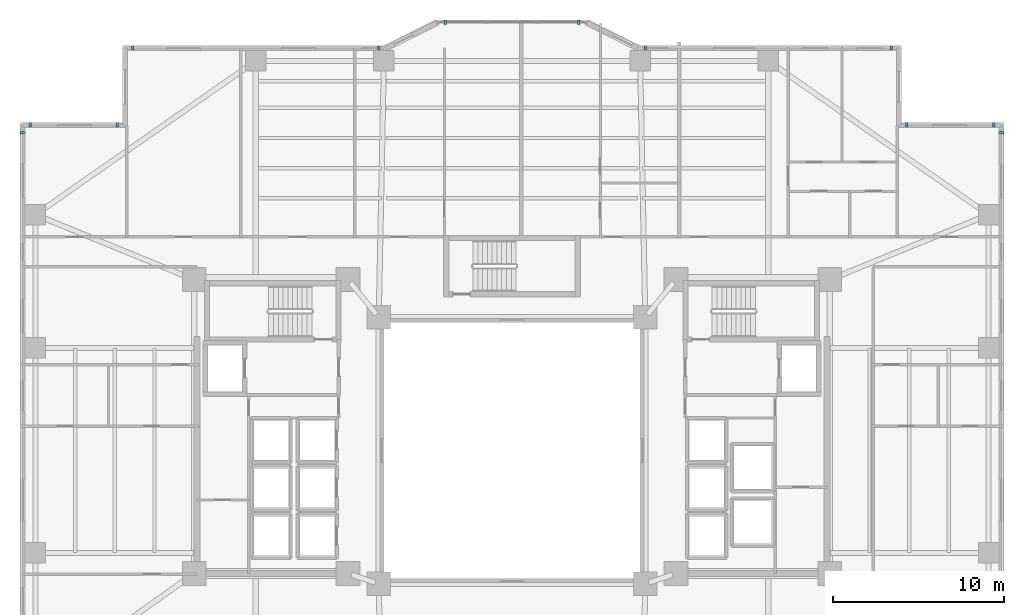
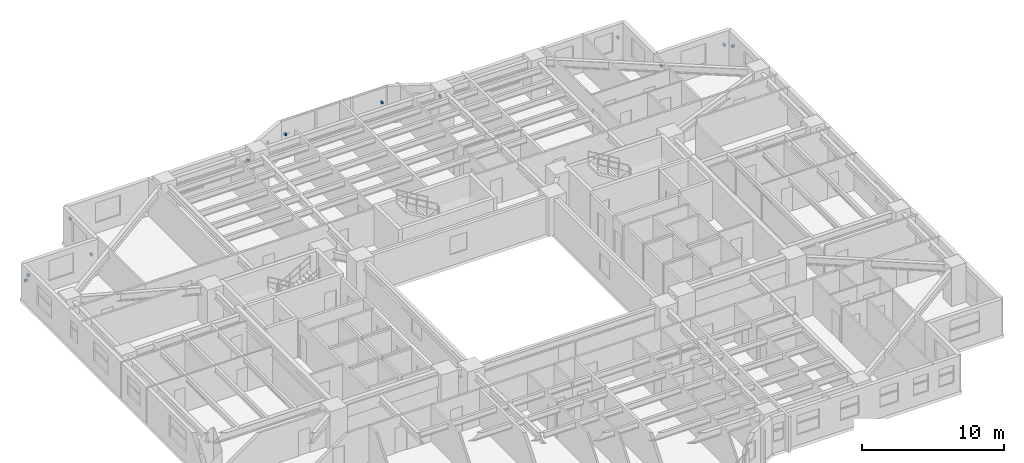
# One storey, part 18 of 21: 12 discrete accessories.
"""IFC4 building model written with IfcOpenShell, lengths in metres."""

from ifc_helpers import new_model, si_unit, direction, frame, origin, origin_2d, place, context, subcontext, project, spatial, rectangle, extrude, material, type_object, element, save


model = new_model("IFC4")

# Units and contexts
model_context = context("Model", 3, precision=1e-05, world=origin(), true_north=direction((0.0, 1.0)))
body_context = subcontext(model_context, "Body", "Model", "MODEL_VIEW")
ifc_project = project(units=[si_unit("LENGTHUNIT", "METRE"), si_unit("AREAUNIT", "SQUARE_METRE"), si_unit("VOLUMEUNIT", "CUBIC_METRE"), si_unit("PLANEANGLEUNIT", "RADIAN"), si_unit("MASSUNIT", "GRAM", prefix="KILO")], contexts=[model_context])

# Site, building, storey
site_placement = place(None, origin())
site = spatial("IfcSite", under=ifc_project, at=site_placement, CompositionType="ELEMENT")
building_placement = place(site_placement, origin())
building = spatial("IfcBuilding", under=site, at=building_placement, Name="Tarnavaz Court Tower", CompositionType="ELEMENT")
storey_placement = place(building_placement, frame((0.0, 0.0, 44.10009765625)))
storey = spatial("IfcBuildingStorey", under=building, at=storey_placement, Name="L11", CompositionType="ELEMENT", Elevation=44.10009765625)

# Discrete accessories
ifc_material = material(Name="Anodised Aluminium 6063-T6", Category="aluminium")
discrete_accessory_type = type_object("IfcDiscreteAccessoryType", Name="DA-BRKT-ALU", PredefinedType="BRACKET", material=ifc_material)
for number, where, z_axis, x_axis, name in (
    (1, (-28.669921875, 18.60009765625, 1.75), (0.0, 0.0, 1.0), (0.0, 1.0, 0.0), "L11 Baguette Outrigger Bracket FBG02-2"),
    (2, (-28.199951171875, 19.070068359375, 1.75), (0.0, 0.0, 1.0), (1.0, 0.0, 0.0), "L11 Baguette Outrigger Bracket FBG03-1"),
    (3, (-23.10009765625, 19.070068359375, 1.75), (0.0, 0.0, 1.0), (1.0, 0.0, 0.0), "L11 Baguette Outrigger Bracket FBG03-2"),
    (4, (-22.199951171875, 23.570068359375, 1.75), (0.0, 0.0, 1.0), (1.0, 0.0, 0.0), "L11 Baguette Outrigger Bracket FBG05-1"),
    (5, (-7.800048828125, 23.570068359375, 1.75), (0.0, 0.0, 1.0), (1.0, 0.0, 0.0), "L11 Baguette Outrigger Bracket FBG05-2"),
    (6, (-3.89990234375, 25.070068359375, 1.69970703125), (0.0, 0.0, 1.0), (1.0, 0.0, 0.0), "L11 Baguette Outrigger Bracket PBG7-1"),
    (7, (3.89990234375, 25.070068359375, 1.69970703125), (0.0, 0.0, 1.0), (1.0, 0.0, 0.0), "L11 Baguette Outrigger Bracket PBG7-2"),
    (8, (7.800048828125, 23.570068359375, 1.75), (0.0, 0.0, 1.0), (1.0, 0.0, 0.0), "L11 Baguette Outrigger Bracket FBG09-1"),
    (9, (22.199951171875, 23.570068359375, 1.75), (0.0, 0.0, 1.0), (1.0, 0.0, 0.0), "L11 Baguette Outrigger Bracket FBG09-2"),
    (10, (23.10009765625, 19.070068359375, 1.75), (0.0, 0.0, 1.0), (1.0, 0.0, 0.0), "L11 Baguette Outrigger Bracket FBG11-1"),
    (11, (28.199951171875, 19.070068359375, 1.75), (0.0, 0.0, 1.0), (1.0, 0.0, 0.0), "L11 Baguette Outrigger Bracket FBG11-2"),
    (12, (28.669921875, 18.60009765625, 1.75), (0.0, 0.0, 1.0), (0.0, -1.0, 0.0), "L11 Baguette Outrigger Bracket FBG12-1"),
):
    element("IfcDiscreteAccessory", number, at=place(storey_placement, frame(where, z_axis=z_axis, x_axis=x_axis)), inside=storey, type_object=discrete_accessory_type, Name=name, PredefinedType="BRACKET", context=body_context, shape_type="SweptSolid", body=[
        extrude(rectangle(XDim=0.139892578125, YDim=0.239990234375, at=origin_2d()), origin(), (0.0, 0.0, 1.0), 0.199951171875),
    ])

save(model, "model.ifc")
